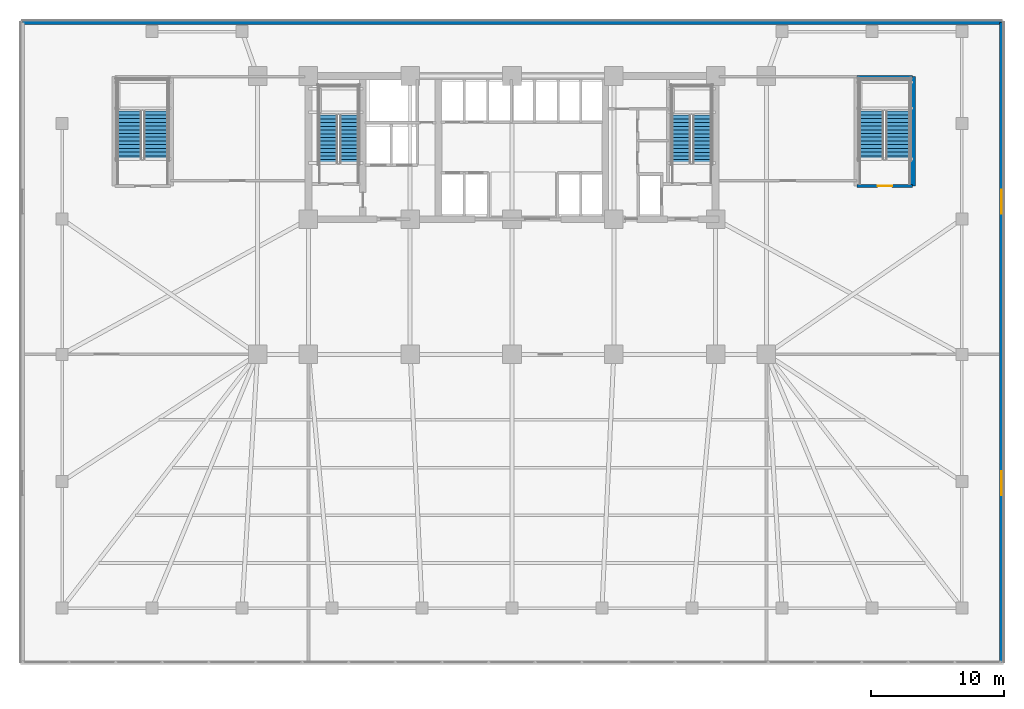
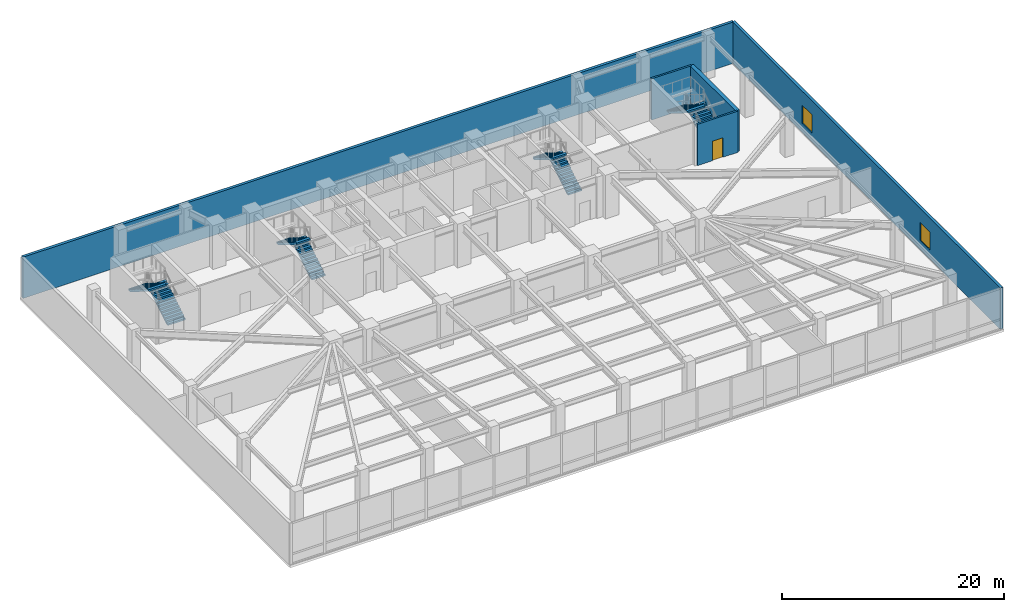
# One storey, part 14 of 19: 8 stair flights, 5 walls, 2 windows, 1 door, 3 openings, 4 elements without a shape of their own.
"""IFC4 building model written with IfcOpenShell, lengths in metres."""

from ifc_helpers import new_model, si_unit, direction, frame, frame_2d, origin, place, context, subcontext, project, spatial, polyline, rectangle, outline, extrude, material, layer, layer_set, type_object, element, fill, aggregate, save


model = new_model("IFC4")

# Units and contexts
model_context = context("Model", 3, precision=1e-05, world=origin(), true_north=direction((0.0, 1.0)))
body_context = subcontext(model_context, "Body", "Model", "MODEL_VIEW")
ifc_project = project(units=[si_unit("LENGTHUNIT", "METRE"), si_unit("AREAUNIT", "SQUARE_METRE"), si_unit("VOLUMEUNIT", "CUBIC_METRE"), si_unit("PLANEANGLEUNIT", "RADIAN"), si_unit("MASSUNIT", "GRAM", prefix="KILO")], contexts=[model_context])

# Site, building, storey
site_placement = place(None, origin())
site = spatial("IfcSite", under=ifc_project, at=site_placement, CompositionType="ELEMENT")
building_placement = place(site_placement, origin())
building = spatial("IfcBuilding", under=site, at=building_placement, Name="Yelkora Congress Tower", CompositionType="ELEMENT")
storey_placement = place(building_placement, frame((0.0, 0.0, 15.60009765625)))
storey = spatial("IfcBuildingStorey", under=building, at=storey_placement, Name="L03", CompositionType="ELEMENT", Elevation=15.60009765625)

# Walls
ifc_material_1 = material(Name="Concrete C50/60", Category="concrete")
ifc_layer_1 = layer(ifc_material_1, 0.39990234375)
ifc_layer_set_1 = layer_set([ifc_layer_1], Name="Concrete C50/60")
wall_type_1 = type_object("IfcWallType", Name="WALL-CORE-INT-400", PredefinedType="SHEAR", material=ifc_layer_set_1)
wall_1_placement = place(storey_placement, frame((68.659912109375, 37.89990234375, 0.0), z_axis=(0.0, 0.0, 1.0), x_axis=(0.0, 1.0, 0.0)))
element("IfcWall", 1, at=wall_1_placement, inside=storey, type_object=wall_type_1, Name="L03 STP2 East Shear Wall", PredefinedType="SHEAR", context=body_context, shape_type="SweptSolid", body=[
    extrude(rectangle(XDim=8.25, YDim=0.39990234375, at=frame_2d((4.125, 0.0))), origin(), (0.0, 0.0, 1.0), 4.539794921875),
])
ifc_material_2 = material(Name="Concrete C40/50", Category="concrete")
ifc_layer_2 = layer(ifc_material_2, 0.280029296875)
ifc_layer_set_2 = layer_set([ifc_layer_2], Name="Concrete C40/50")
wall_type_2 = type_object("IfcWallType", Name="WALL-EXT-LIMESTONE-280", PredefinedType="SOLIDWALL", material=ifc_layer_set_2)
wall_2_placement = place(storey_placement, frame((1.4599609375, 50.239990234375, 0.0), z_axis=(0.0, 0.0, 1.0), x_axis=(1.0, 0.0, 0.0)))
element("IfcWall", 2, at=wall_2_placement, inside=storey, type_object=wall_type_2, Name="L03 Podium Limestone Wall 2", PredefinedType="SOLIDWALL", context=body_context, shape_type="SweptSolid", body=[
    extrude(rectangle(XDim=73.880126953125, YDim=0.280029296875, at=frame_2d((36.93994140625, 0.0))), origin(), (0.0, 0.0, 1.0), 4.539794921875),
])

# Wall, openings, windows
wall_3_placement = place(storey_placement, frame((75.340087890625, 50.239990234375, 0.0), z_axis=(0.0, 0.0, 1.0), x_axis=(0.0, -1.0, 0.0)))
wall_3 = element("IfcWall", 3, at=wall_3_placement, inside=storey, type_object=wall_type_2, Name="L03 Podium Limestone Wall 3", PredefinedType="SOLIDWALL", context=body_context, shape_type="SweptSolid", body=[
    extrude(rectangle(XDim=48.280029296875, YDim=0.280029296875, at=frame_2d((24.14013671875, 0.0))), origin(), (0.0, 0.0, 1.0), 4.539794921875),
])
opening_1_placement = place(wall_3_placement, frame((12.618408203125, 0.0, 1.0)))
opening_1 = element("IfcOpeningElement", 4, at=opening_1_placement, cuts=wall_3, Name="Opening WN-18", PredefinedType="OPENING", context=body_context, shape_type="SweptSolid", body=[
    extrude(rectangle(XDim=1.800048828125, YDim=2.0, at=frame_2d((0.89990234375, 1.0))), frame((0.0, 0.14990234375, 0.0), z_axis=(0.0, -1.0, 0.0), x_axis=(1.0, 0.0, 0.0)), (0.0, 0.0, 1.0), 0.300048828125),
])
opening_2_placement = place(wall_3_placement, frame((33.861572265625, 0.0, 1.0)))
opening_2 = element("IfcOpeningElement", 5, at=opening_2_placement, cuts=wall_3, Name="Opening WN-18", PredefinedType="OPENING", context=body_context, shape_type="SweptSolid", body=[
    extrude(rectangle(XDim=1.800048828125, YDim=2.0, at=frame_2d((0.89990234375, 1.0))), frame((0.0, 0.14990234375, 0.0), z_axis=(0.0, -1.0, 0.0), x_axis=(1.0, 0.0, 0.0)), (0.0, 0.0, 1.0), 0.300048828125),
])
ifc_material_3 = material(Name="Thermally broken aluminium low-E window", Category="aluminium")
window_type = type_object("IfcWindowType", Name="WIN-POD-1800x2000", PartitioningType="SINGLE_PANEL", PredefinedType="WINDOW", material=ifc_material_3)
window_1_placement = place(opening_1_placement, origin())
window_1 = element("IfcWindow", 6, at=window_1_placement, inside=storey, type_object=window_type, Name="L03 Podium Facade Window 3-1", OverallHeight=2.0, OverallWidth=1.800048828125, PartitioningType="SINGLE_PANEL", PredefinedType="WINDOW", context=body_context, shape_type="SweptSolid", body=[
    extrude(rectangle(XDim=1.800048828125, YDim=2.0, at=frame_2d((0.89990234375, 1.0))), frame((0.0, 0.030029296875, 0.0), z_axis=(0.0, -1.0, 0.0), x_axis=(1.0, 0.0, 0.0)), (0.0, 0.0, 1.0), 0.06005859375),
])
fill(opening_1, window_1)
window_2_placement = place(opening_2_placement, origin())
window_2 = element("IfcWindow", 7, at=window_2_placement, inside=storey, type_object=window_type, Name="L03 Podium Facade Window 3-2", OverallHeight=2.0, OverallWidth=1.800048828125, PartitioningType="SINGLE_PANEL", PredefinedType="WINDOW", context=body_context, shape_type="SweptSolid", body=[
    extrude(rectangle(XDim=1.800048828125, YDim=2.0, at=frame_2d((0.89990234375, 1.0))), frame((0.0, 0.030029296875, 0.0), z_axis=(0.0, -1.0, 0.0), x_axis=(1.0, 0.0, 0.0)), (0.0, 0.0, 1.0), 0.06005859375),
])
fill(opening_2, window_2)

# Wall, opening, door
ifc_material_4 = material(Name="Autoclaved aerated concrete blockwork", Category="masonry")
ifc_layer_3 = layer(ifc_material_4, 0.199951171875)
ifc_layer_set_3 = layer_set([ifc_layer_3], Name="Autoclaved aerated concrete blockwork")
wall_type_3 = type_object("IfcWallType", Name="WALL-INT-200-R120", PredefinedType="PARTITIONING", material=ifc_layer_set_3)
wall_4_placement = place(storey_placement, frame((64.43994140625, 37.89990234375, 0.0), z_axis=(0.0, 0.0, 1.0), x_axis=(1.0, 0.0, 0.0)))
wall_4 = element("IfcWall", 8, at=wall_4_placement, inside=storey, type_object=wall_type_3, Name="L03 Partition Wall 33", PredefinedType="PARTITIONING", context=body_context, shape_type="SweptSolid", body=[
    extrude(rectangle(XDim=4.18017578125, YDim=0.199951171875, at=frame_2d((2.090087890625, 0.0))), origin(), (0.0, 0.0, 1.0), 4.539794921875),
])
opening_3_placement = place(wall_4_placement, frame((1.5400390625, 0.0, 0.0)))
opening_3 = element("IfcOpeningElement", 9, at=opening_3_placement, cuts=wall_4, Name="Opening DR-110F9", PredefinedType="OPENING", context=body_context, shape_type="SweptSolid", body=[
    extrude(rectangle(XDim=1.10009765625, YDim=2.14990234375, at=frame_2d((0.550048828125, 1.074951171875))), frame((0.0, 0.10986328125, 0.0), z_axis=(0.0, -1.0, 0.0), x_axis=(1.0, 0.0, 0.0)), (0.0, 0.0, 1.0), 0.219970703125),
])
ifc_material_5 = material(Name="Galvanised steel fire door leaf", Category="steel")
door_type = type_object("IfcDoorType", Name="DOOR-FD90-1100", OperationType="NOTDEFINED", PredefinedType="DOOR", material=ifc_material_5)
door_placement = place(opening_3_placement, origin())
door = element("IfcDoor", 10, at=door_placement, inside=storey, type_object=door_type, Name="L03 ST-P2 Door", OperationType="SINGLE_SWING_RIGHT", OverallHeight=2.14990234375, OverallWidth=1.10009765625, PredefinedType="DOOR", context=body_context, shape_type="SweptSolid", body=[
    extrude(rectangle(XDim=1.10009765625, YDim=2.14990234375, at=frame_2d((0.550048828125, 1.074951171875))), frame((0.0, 0.02490234375, 0.0), z_axis=(0.0, -1.0, 0.0), x_axis=(1.0, 0.0, 0.0)), (0.0, 0.0, 1.0), 0.050048828125),
])
fill(opening_3, door)

# Wall
wall_5_placement = place(storey_placement, frame((64.43994140625, 46.14990234375, 0.0), z_axis=(0.0, 0.0, 1.0), x_axis=(1.0, 0.0, 0.0)))
element("IfcWall", 11, at=wall_5_placement, inside=storey, type_object=wall_type_3, Name="L03 Partition Wall 34", PredefinedType="PARTITIONING", context=body_context, shape_type="SweptSolid", body=[
    extrude(rectangle(XDim=4.18017578125, YDim=0.199951171875, at=frame_2d((2.090087890625, 0.0))), origin(), (0.0, 0.0, 1.0), 4.539794921875),
])

# Stair, stair flights
stair_type_1 = type_object("IfcStairType", Name="STAIR-HT-1420-R28-171", PredefinedType="HALF_TURN_STAIR", material=ifc_material_2)
stair_1_placement = place(storey_placement, origin())
stair_1 = element("IfcStair", 12, at=stair_1_placement, inside=storey, type_object=stair_type_1, Name="West Core Protected Exit Stair ST-01 (L03)", PredefinedType="HALF_TURN_STAIR")
stair_flight_type_1 = type_object("IfcStairFlightType", Name="FLIGHT-1420-N14-R171-G280", PredefinedType="STRAIGHT", material=ifc_material_2)
stair_flight_1_placement = place(storey_placement, frame((26.110107421875, 39.60009765625, 0.0), z_axis=(0.0, 0.0, 1.0), x_axis=(0.0, 1.0, 0.0)))
stair_flight_1 = element("IfcStairFlight", 13, at=stair_flight_1_placement, type_object=stair_flight_type_1, Name="ST-01 L03 Flight 1", NumberOfRisers=14, NumberOfTreads=13, PredefinedType="STRAIGHT", RiserHeight=0.171428571, TreadLength=0.28, context=body_context, shape_type="SweptSolid", body=[
    extrude(outline(polyline([(0.0, 0.0), (0.0, 0.17138671875), (0.280029296875, 0.17138671875), (0.280029296875, 0.3427734375), (0.56005859375, 0.3427734375), (0.56005859375, 0.514404296875), (0.840087890625, 0.514404296875), (0.840087890625, 0.685791015625), (1.1201171875, 0.685791015625), (1.1201171875, 0.857177734375), (1.39990234375, 0.857177734375), (1.39990234375, 1.028564453125), (1.679931640625, 1.028564453125), (1.679931640625, 1.199951171875), (1.9599609375, 1.199951171875), (1.9599609375, 1.371337890625), (2.239990234375, 1.371337890625), (2.239990234375, 1.54296875), (2.52001953125, 1.54296875), (2.52001953125, 1.71435546875), (2.800048828125, 1.71435546875), (2.800048828125, 1.8857421875), (3.080078125, 1.8857421875), (3.080078125, 2.05712890625), (3.360107421875, 2.05712890625), (3.360107421875, 2.228515625), (3.639892578125, 2.228515625), (3.639892578125, 2.39990234375), (3.639892578125, 2.041015625), (0.30615234375, 0.0), (0.0, 0.0)])), frame((0.0, 0.7099609375, 0.0), z_axis=(0.0, -1.0, 0.0), x_axis=(1.0, 0.0, 0.0)), (0.0, 0.0, 1.0), 1.419921875),
])
stair_flight_2_placement = place(storey_placement, frame((24.530029296875, 43.239990234375, 2.39990234375), z_axis=(0.0, 0.0, 1.0), x_axis=(0.0, -1.0, 0.0)))
stair_flight_2 = element("IfcStairFlight", 14, at=stair_flight_2_placement, type_object=stair_flight_type_1, Name="ST-01 L03 Flight 2", NumberOfRisers=14, NumberOfTreads=13, PredefinedType="STRAIGHT", RiserHeight=0.171428571, TreadLength=0.28, context=body_context, shape_type="SweptSolid", body=[
    extrude(outline(polyline([(0.0, 0.0), (0.0, 0.17138671875), (0.280029296875, 0.17138671875), (0.280029296875, 0.3427734375), (0.56005859375, 0.3427734375), (0.56005859375, 0.514404296875), (0.840087890625, 0.514404296875), (0.840087890625, 0.685791015625), (1.1201171875, 0.685791015625), (1.1201171875, 0.857177734375), (1.39990234375, 0.857177734375), (1.39990234375, 1.028564453125), (1.679931640625, 1.028564453125), (1.679931640625, 1.199951171875), (1.9599609375, 1.199951171875), (1.9599609375, 1.371337890625), (2.239990234375, 1.371337890625), (2.239990234375, 1.54296875), (2.52001953125, 1.54296875), (2.52001953125, 1.71435546875), (2.800048828125, 1.71435546875), (2.800048828125, 1.8857421875), (3.080078125, 1.8857421875), (3.080078125, 2.05712890625), (3.360107421875, 2.05712890625), (3.360107421875, 2.228515625), (3.639892578125, 2.228515625), (3.639892578125, 2.39990234375), (3.639892578125, 2.041015625), (0.30615234375, 0.0), (0.0, 0.0)])), frame((0.0, 0.7099609375, 0.0), z_axis=(0.0, -1.0, 0.0), x_axis=(1.0, 0.0, 0.0)), (0.0, 0.0, 1.0), 1.419921875),
])
aggregate(stair_1, [stair_flight_1, stair_flight_2])

stair_2_placement = place(storey_placement, origin())
stair_2 = element("IfcStair", 15, at=stair_2_placement, inside=storey, type_object=stair_type_1, Name="East Core Protected Exit Stair ST-02 (L03)", PredefinedType="HALF_TURN_STAIR")
stair_flight_3_placement = place(storey_placement, frame((52.75, 39.60009765625, 0.0), z_axis=(0.0, 0.0, 1.0), x_axis=(0.0, 1.0, 0.0)))
stair_flight_3 = element("IfcStairFlight", 16, at=stair_flight_3_placement, type_object=stair_flight_type_1, Name="ST-02 L03 Flight 1", NumberOfRisers=14, NumberOfTreads=13, PredefinedType="STRAIGHT", RiserHeight=0.171428571, TreadLength=0.28, context=body_context, shape_type="SweptSolid", body=[
    extrude(outline(polyline([(0.0, 0.0), (0.0, 0.17138671875), (0.280029296875, 0.17138671875), (0.280029296875, 0.3427734375), (0.56005859375, 0.3427734375), (0.56005859375, 0.514404296875), (0.840087890625, 0.514404296875), (0.840087890625, 0.685791015625), (1.1201171875, 0.685791015625), (1.1201171875, 0.857177734375), (1.39990234375, 0.857177734375), (1.39990234375, 1.028564453125), (1.679931640625, 1.028564453125), (1.679931640625, 1.199951171875), (1.9599609375, 1.199951171875), (1.9599609375, 1.371337890625), (2.239990234375, 1.371337890625), (2.239990234375, 1.54296875), (2.52001953125, 1.54296875), (2.52001953125, 1.71435546875), (2.800048828125, 1.71435546875), (2.800048828125, 1.8857421875), (3.080078125, 1.8857421875), (3.080078125, 2.05712890625), (3.360107421875, 2.05712890625), (3.360107421875, 2.228515625), (3.639892578125, 2.228515625), (3.639892578125, 2.39990234375), (3.639892578125, 2.041015625), (0.30615234375, 0.0), (0.0, 0.0)])), frame((0.0, 0.7099609375, 0.0), z_axis=(0.0, -1.0, 0.0), x_axis=(1.0, 0.0, 0.0)), (0.0, 0.0, 1.0), 1.419921875),
])
stair_flight_4_placement = place(storey_placement, frame((51.169921875, 43.239990234375, 2.39990234375), z_axis=(0.0, 0.0, 1.0), x_axis=(0.0, -1.0, 0.0)))
stair_flight_4 = element("IfcStairFlight", 17, at=stair_flight_4_placement, type_object=stair_flight_type_1, Name="ST-02 L03 Flight 2", NumberOfRisers=14, NumberOfTreads=13, PredefinedType="STRAIGHT", RiserHeight=0.171428571, TreadLength=0.28, context=body_context, shape_type="SweptSolid", body=[
    extrude(outline(polyline([(0.0, 0.0), (0.0, 0.17138671875), (0.280029296875, 0.17138671875), (0.280029296875, 0.3427734375), (0.56005859375, 0.3427734375), (0.56005859375, 0.514404296875), (0.840087890625, 0.514404296875), (0.840087890625, 0.685791015625), (1.1201171875, 0.685791015625), (1.1201171875, 0.857177734375), (1.39990234375, 0.857177734375), (1.39990234375, 1.028564453125), (1.679931640625, 1.028564453125), (1.679931640625, 1.199951171875), (1.9599609375, 1.199951171875), (1.9599609375, 1.371337890625), (2.239990234375, 1.371337890625), (2.239990234375, 1.54296875), (2.52001953125, 1.54296875), (2.52001953125, 1.71435546875), (2.800048828125, 1.71435546875), (2.800048828125, 1.8857421875), (3.080078125, 1.8857421875), (3.080078125, 2.05712890625), (3.360107421875, 2.05712890625), (3.360107421875, 2.228515625), (3.639892578125, 2.228515625), (3.639892578125, 2.39990234375), (3.639892578125, 2.041015625), (0.30615234375, 0.0), (0.0, 0.0)])), frame((0.0, 0.7099609375, 0.0), z_axis=(0.0, -1.0, 0.0), x_axis=(1.0, 0.0, 0.0)), (0.0, 0.0, 1.0), 1.419921875),
])
aggregate(stair_2, [stair_flight_3, stair_flight_4])

stair_type_2 = type_object("IfcStairType", Name="STAIR-HT-1850-R28-171", PredefinedType="HALF_TURN_STAIR", material=ifc_material_2)
stair_3_placement = place(storey_placement, origin())
stair_3 = element("IfcStair", 18, at=stair_3_placement, inside=storey, type_object=stair_type_2, Name="Podium Exit Stair ST-P1 (L03)", PredefinedType="HALF_TURN_STAIR")
stair_flight_type_2 = type_object("IfcStairFlightType", Name="FLIGHT-1850-N14-R171-G280", PredefinedType="STRAIGHT", material=ifc_material_2)
stair_flight_5_placement = place(storey_placement, frame((11.534912109375, 39.89990234375, 0.0), z_axis=(0.0, 0.0, 1.0), x_axis=(0.0, 1.0, 0.0)))
stair_flight_5 = element("IfcStairFlight", 19, at=stair_flight_5_placement, type_object=stair_flight_type_2, Name="ST-P1 L03 Flight 1", NumberOfRisers=14, NumberOfTreads=13, PredefinedType="STRAIGHT", RiserHeight=0.171428571, TreadLength=0.28, context=body_context, shape_type="SweptSolid", body=[
    extrude(outline(polyline([(0.0, 0.0), (0.0, 0.17138671875), (0.280029296875, 0.17138671875), (0.280029296875, 0.3427734375), (0.56005859375, 0.3427734375), (0.56005859375, 0.514404296875), (0.840087890625, 0.514404296875), (0.840087890625, 0.685791015625), (1.1201171875, 0.685791015625), (1.1201171875, 0.857177734375), (1.39990234375, 0.857177734375), (1.39990234375, 1.028564453125), (1.679931640625, 1.028564453125), (1.679931640625, 1.199951171875), (1.9599609375, 1.199951171875), (1.9599609375, 1.371337890625), (2.239990234375, 1.371337890625), (2.239990234375, 1.54296875), (2.52001953125, 1.54296875), (2.52001953125, 1.71435546875), (2.800048828125, 1.71435546875), (2.800048828125, 1.8857421875), (3.080078125, 1.8857421875), (3.080078125, 2.05712890625), (3.360107421875, 2.05712890625), (3.360107421875, 2.228515625), (3.639892578125, 2.228515625), (3.639892578125, 2.39990234375), (3.639892578125, 2.041015625), (0.30615234375, 0.0), (0.0, 0.0)])), frame((0.0, 0.925048828125, 0.0), z_axis=(0.0, -1.0, 0.0), x_axis=(1.0, 0.0, 0.0)), (0.0, 0.0, 1.0), 1.85009765625),
])
stair_flight_6_placement = place(storey_placement, frame((9.52490234375, 43.5400390625, 2.39990234375), z_axis=(0.0, 0.0, 1.0), x_axis=(0.0, -1.0, 0.0)))
stair_flight_6 = element("IfcStairFlight", 20, at=stair_flight_6_placement, type_object=stair_flight_type_2, Name="ST-P1 L03 Flight 2", NumberOfRisers=14, NumberOfTreads=13, PredefinedType="STRAIGHT", RiserHeight=0.171428571, TreadLength=0.28, context=body_context, shape_type="SweptSolid", body=[
    extrude(outline(polyline([(0.0, 0.0), (0.0, 0.17138671875), (0.280029296875, 0.17138671875), (0.280029296875, 0.3427734375), (0.56005859375, 0.3427734375), (0.56005859375, 0.514404296875), (0.840087890625, 0.514404296875), (0.840087890625, 0.685791015625), (1.1201171875, 0.685791015625), (1.1201171875, 0.857177734375), (1.39990234375, 0.857177734375), (1.39990234375, 1.028564453125), (1.679931640625, 1.028564453125), (1.679931640625, 1.199951171875), (1.9599609375, 1.199951171875), (1.9599609375, 1.371337890625), (2.239990234375, 1.371337890625), (2.239990234375, 1.54296875), (2.52001953125, 1.54296875), (2.52001953125, 1.71435546875), (2.800048828125, 1.71435546875), (2.800048828125, 1.8857421875), (3.080078125, 1.8857421875), (3.080078125, 2.05712890625), (3.360107421875, 2.05712890625), (3.360107421875, 2.228515625), (3.639892578125, 2.228515625), (3.639892578125, 2.39990234375), (3.639892578125, 2.041015625), (0.30615234375, 0.0), (0.0, 0.0)])), frame((0.0, 0.925048828125, 0.0), z_axis=(0.0, -1.0, 0.0), x_axis=(1.0, 0.0, 0.0)), (0.0, 0.0, 1.0), 1.85009765625),
])
aggregate(stair_3, [stair_flight_5, stair_flight_6])

stair_4_placement = place(storey_placement, origin())
stair_4 = element("IfcStair", 21, at=stair_4_placement, inside=storey, type_object=stair_type_2, Name="Podium Exit Stair ST-P2 (L03)", PredefinedType="HALF_TURN_STAIR")
stair_flight_7_placement = place(storey_placement, frame((67.534912109375, 39.89990234375, 0.0), z_axis=(0.0, 0.0, 1.0), x_axis=(0.0, 1.0, 0.0)))
stair_flight_7 = element("IfcStairFlight", 22, at=stair_flight_7_placement, type_object=stair_flight_type_2, Name="ST-P2 L03 Flight 1", NumberOfRisers=14, NumberOfTreads=13, PredefinedType="STRAIGHT", RiserHeight=0.171428571, TreadLength=0.28, context=body_context, shape_type="SweptSolid", body=[
    extrude(outline(polyline([(0.0, 0.0), (0.0, 0.17138671875), (0.280029296875, 0.17138671875), (0.280029296875, 0.3427734375), (0.56005859375, 0.3427734375), (0.56005859375, 0.514404296875), (0.840087890625, 0.514404296875), (0.840087890625, 0.685791015625), (1.1201171875, 0.685791015625), (1.1201171875, 0.857177734375), (1.39990234375, 0.857177734375), (1.39990234375, 1.028564453125), (1.679931640625, 1.028564453125), (1.679931640625, 1.199951171875), (1.9599609375, 1.199951171875), (1.9599609375, 1.371337890625), (2.239990234375, 1.371337890625), (2.239990234375, 1.54296875), (2.52001953125, 1.54296875), (2.52001953125, 1.71435546875), (2.800048828125, 1.71435546875), (2.800048828125, 1.8857421875), (3.080078125, 1.8857421875), (3.080078125, 2.05712890625), (3.360107421875, 2.05712890625), (3.360107421875, 2.228515625), (3.639892578125, 2.228515625), (3.639892578125, 2.39990234375), (3.639892578125, 2.041015625), (0.30615234375, 0.0), (0.0, 0.0)])), frame((0.0, 0.925048828125, 0.0), z_axis=(0.0, -1.0, 0.0), x_axis=(1.0, 0.0, 0.0)), (0.0, 0.0, 1.0), 1.85009765625),
])
stair_flight_8_placement = place(storey_placement, frame((65.52490234375, 43.5400390625, 2.39990234375), z_axis=(0.0, 0.0, 1.0), x_axis=(0.0, -1.0, 0.0)))
stair_flight_8 = element("IfcStairFlight", 23, at=stair_flight_8_placement, type_object=stair_flight_type_2, Name="ST-P2 L03 Flight 2", NumberOfRisers=14, NumberOfTreads=13, PredefinedType="STRAIGHT", RiserHeight=0.171428571, TreadLength=0.28, context=body_context, shape_type="SweptSolid", body=[
    extrude(outline(polyline([(0.0, 0.0), (0.0, 0.17138671875), (0.280029296875, 0.17138671875), (0.280029296875, 0.3427734375), (0.56005859375, 0.3427734375), (0.56005859375, 0.514404296875), (0.840087890625, 0.514404296875), (0.840087890625, 0.685791015625), (1.1201171875, 0.685791015625), (1.1201171875, 0.857177734375), (1.39990234375, 0.857177734375), (1.39990234375, 1.028564453125), (1.679931640625, 1.028564453125), (1.679931640625, 1.199951171875), (1.9599609375, 1.199951171875), (1.9599609375, 1.371337890625), (2.239990234375, 1.371337890625), (2.239990234375, 1.54296875), (2.52001953125, 1.54296875), (2.52001953125, 1.71435546875), (2.800048828125, 1.71435546875), (2.800048828125, 1.8857421875), (3.080078125, 1.8857421875), (3.080078125, 2.05712890625), (3.360107421875, 2.05712890625), (3.360107421875, 2.228515625), (3.639892578125, 2.228515625), (3.639892578125, 2.39990234375), (3.639892578125, 2.041015625), (0.30615234375, 0.0), (0.0, 0.0)])), frame((0.0, 0.925048828125, 0.0), z_axis=(0.0, -1.0, 0.0), x_axis=(1.0, 0.0, 0.0)), (0.0, 0.0, 1.0), 1.85009765625),
])
aggregate(stair_4, [stair_flight_7, stair_flight_8])

save(model, "model.ifc")
